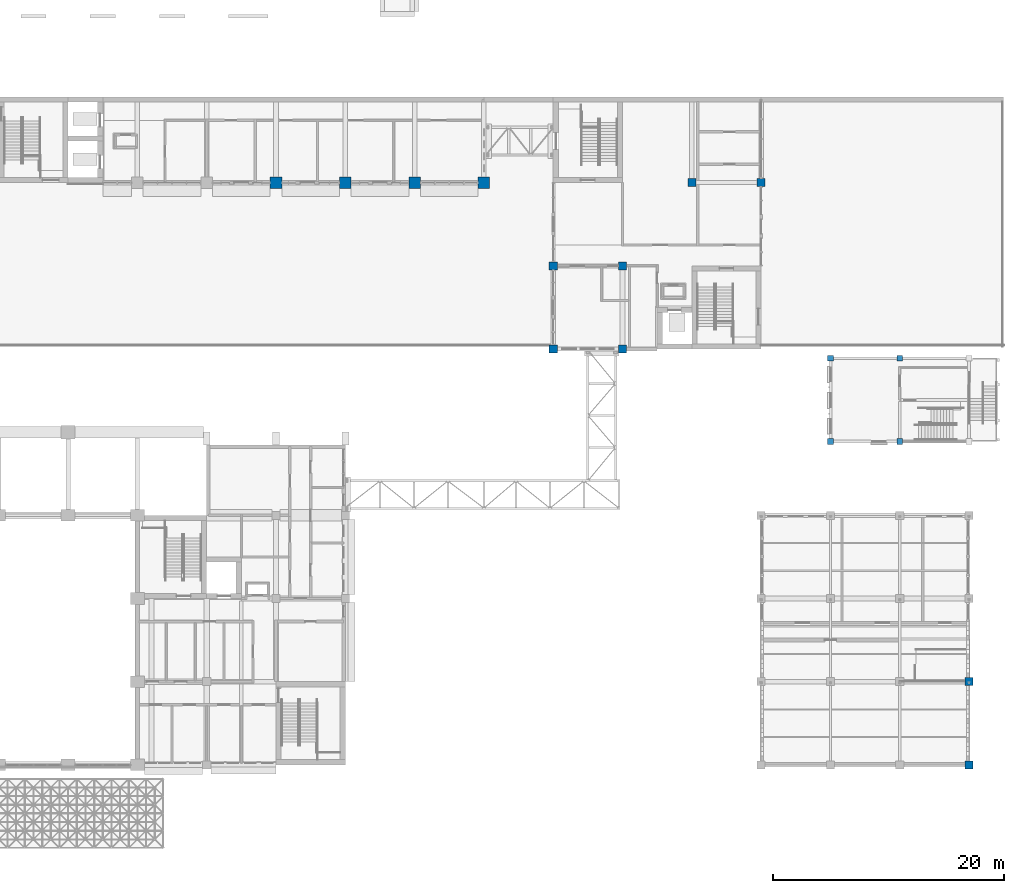
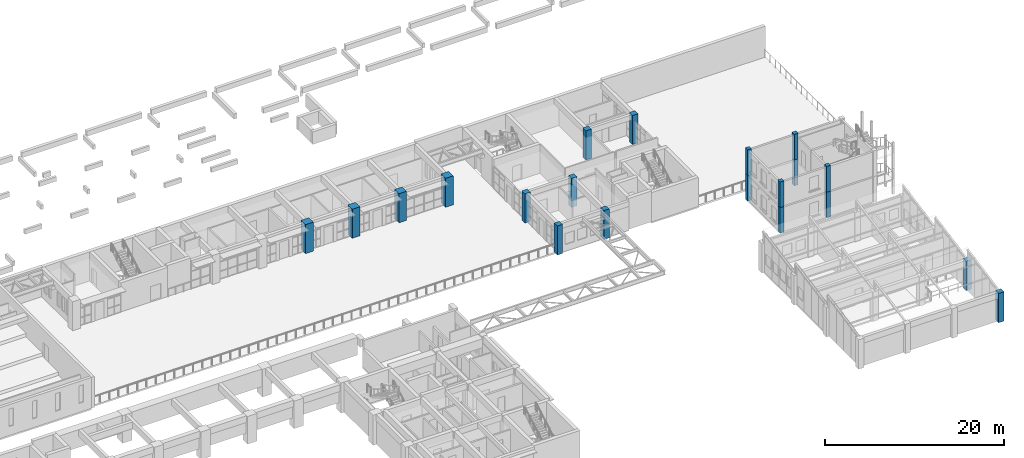
# One storey, part 3 of 103: 20 columns.
"""IFC4 building model written with IfcOpenShell, lengths in metres."""

from ifc_helpers import new_model, si_unit, direction, frame, origin, origin_2d, place, context, subcontext, project, spatial, rectangle, extrude, material, material_profile, profile_set, type_object, element, save


model = new_model("IFC4")

# Units and contexts
model_context = context("Model", 3, precision=1e-05, world=origin(), true_north=direction((0.0, 1.0)))
body_context = subcontext(model_context, "Body", "Model", "MODEL_VIEW")
ifc_project = project(units=[si_unit("LENGTHUNIT", "METRE"), si_unit("AREAUNIT", "SQUARE_METRE"), si_unit("VOLUMEUNIT", "CUBIC_METRE"), si_unit("PLANEANGLEUNIT", "RADIAN"), si_unit("MASSUNIT", "GRAM", prefix="KILO")], contexts=[model_context])

# Site, building, storey
site_placement = place(None, origin())
site = spatial("IfcSite", under=ifc_project, at=site_placement, CompositionType="ELEMENT")
building_placement = place(site_placement, origin())
building = spatial("IfcBuilding", under=site, at=building_placement, Name="Laocheng Heights Fire and Rescue Headquarters", CompositionType="ELEMENT")
storey_placement = place(building_placement, frame((0.0, 0.0, 4.199951171875)))
storey = spatial("IfcBuildingStorey", under=building, at=storey_placement, Name="L01", CompositionType="ELEMENT", Elevation=4.199951171875)

# Columns
ifc_material_1 = material(Name="Concrete C50", Category="concrete")
ifc_material_profile_1 = material_profile(ifc_material_1, rectangle(XDim=1.0, YDim=1.0, at=origin_2d()), Name="RC COLUMN 1000x1000 C50 HQ")
ifc_profile_set_1 = profile_set([ifc_material_profile_1], Name="Concrete C50")
column_type_1 = type_object("IfcColumnType", Name="RC COLUMN 1000x1000 C50 HQ", PredefinedType="COLUMN", material=ifc_profile_set_1)
for number, where, z_axis, x_axis, name in (
    (1, (66.0, 50.39990234375, 0.0), (0.0, 0.0, 1.0), (1.0, 0.0, 0.0), "HQ column L01 66/50.4"),
    (2, (72.0, 50.39990234375, 0.0), (0.0, 0.0, 1.0), (1.0, 0.0, 0.0), "HQ column L01 72/50.4"),
    (3, (78.0, 50.39990234375, 0.0), (0.0, 0.0, 1.0), (1.0, 0.0, 0.0), "HQ column L01 78/50.4"),
    (4, (84.0, 50.39990234375, 0.0), (0.0, 0.0, 1.0), (1.0, 0.0, 0.0), "HQ column L01 84/50.4"),
):
    element("IfcColumn", number, at=place(storey_placement, frame(where, z_axis=z_axis, x_axis=x_axis)), inside=storey, type_object=column_type_1, Name=name, PredefinedType="COLUMN", context=body_context, shape_type="SweptSolid", body=[
        extrude(rectangle(XDim=1.0, YDim=1.0, at=origin_2d()), origin(), (0.0, 0.0, 1.0), 3.949951171875),
    ])
ifc_material_2 = material(Name="Concrete C50", Category="concrete")
ifc_material_profile_2 = material_profile(ifc_material_2, rectangle(XDim=0.5, YDim=0.5, at=origin_2d()), Name="RC COLUMN 500x500 C50 DRILL TOWER")
ifc_profile_set_2 = profile_set([ifc_material_profile_2], Name="Concrete C50")
column_type_2 = type_object("IfcColumnType", Name="RC COLUMN 500x500 C50 DRILL TOWER", PredefinedType="COLUMN", material=ifc_profile_set_2)
for number, where, z_axis, x_axis, name in (
    (5, (114.0, 28.0, -0.699951171875), (0.0, 0.0, 1.0), (1.0, 0.0, 0.0), "Drill tower column F2 114/28"),
    (6, (120.0, 28.0, -0.699951171875), (0.0, 0.0, 1.0), (1.0, 0.0, 0.0), "Drill tower column F2 120/28"),
    (7, (114.0, 35.199951171875, -0.699951171875), (0.0, 0.0, 1.0), (1.0, 0.0, 0.0), "Drill tower column F2 114/35.2"),
    (8, (120.0, 35.199951171875, -0.699951171875), (0.0, 0.0, 1.0), (1.0, 0.0, 0.0), "Drill tower column F2 120/35.2"),
    (9, (114.0, 28.0, 2.800048828125), (0.0, 0.0, 1.0), (1.0, 0.0, 0.0), "Drill tower column F3 114/28"),
    (10, (120.0, 28.0, 2.800048828125), (0.0, 0.0, 1.0), (1.0, 0.0, 0.0), "Drill tower column F3 120/28"),
    (11, (114.0, 35.199951171875, 2.800048828125), (0.0, 0.0, 1.0), (1.0, 0.0, 0.0), "Drill tower column F3 114/35.2"),
    (12, (120.0, 35.199951171875, 2.800048828125), (0.0, 0.0, 1.0), (1.0, 0.0, 0.0), "Drill tower column F3 120/35.2"),
):
    element("IfcColumn", number, at=place(storey_placement, frame(where, z_axis=z_axis, x_axis=x_axis)), inside=storey, type_object=column_type_2, Name=name, PredefinedType="COLUMN", context=body_context, shape_type="SweptSolid", body=[
        extrude(rectangle(XDim=0.5, YDim=0.5, at=origin_2d()), origin(), (0.0, 0.0, 1.0), 3.5),
    ])
ifc_material_3 = material(Name="Concrete C50", Category="concrete")
ifc_material_profile_3 = material_profile(ifc_material_3, rectangle(XDim=0.699951171875, YDim=0.699951171875, at=origin_2d()), Name="RC COLUMN 700x700 C50 CREW")
ifc_profile_set_3 = profile_set([ifc_material_profile_3], Name="Concrete C50")
column_type_3 = type_object("IfcColumnType", Name="RC COLUMN 700x700 C50 CREW", PredefinedType="COLUMN", material=ifc_profile_set_3)
for number, where, z_axis, x_axis, name in (
    (13, (90.0, 36.0, 0.0), (0.0, 0.0, 1.0), (1.0, 0.0, 0.0), "Crew column L01 90/36"),
    (14, (96.0, 36.0, 0.0), (0.0, 0.0, 1.0), (1.0, 0.0, 0.0), "Crew column L01 96/36"),
    (15, (90.0, 43.199951171875, 0.0), (0.0, 0.0, 1.0), (1.0, 0.0, 0.0), "Crew column L01 90/43.2"),
    (16, (96.0, 43.199951171875, 0.0), (0.0, 0.0, 1.0), (1.0, 0.0, 0.0), "Crew column L01 96/43.2"),
    (17, (102.0, 50.39990234375, 0.0), (0.0, 0.0, 1.0), (1.0, 0.0, 0.0), "Crew column L01 102/50.4"),
    (18, (108.0, 50.39990234375, 0.0), (0.0, 0.0, 1.0), (1.0, 0.0, 0.0), "Crew column L01 108/50.4"),
):
    element("IfcColumn", number, at=place(storey_placement, frame(where, z_axis=z_axis, x_axis=x_axis)), inside=storey, type_object=column_type_3, Name=name, PredefinedType="COLUMN", context=body_context, shape_type="SweptSolid", body=[
        extrude(rectangle(XDim=0.699951171875, YDim=0.699951171875, at=origin_2d()), origin(), (0.0, 0.0, 1.0), 3.949951171875),
    ])
ifc_material_4 = material(Name="Concrete C45", Category="concrete")
ifc_material_profile_4 = material_profile(ifc_material_4, rectangle(XDim=0.699951171875, YDim=0.699951171875, at=origin_2d()), Name="RC COLUMN 700x700 WORKSHOP")
ifc_profile_set_4 = profile_set([ifc_material_profile_4], Name="Concrete C45")
column_type_4 = type_object("IfcColumnType", Name="RC COLUMN 700x700 WORKSHOP", PredefinedType="COLUMN", material=ifc_profile_set_4)
for number, where, z_axis, x_axis, name in (
    (19, (126.0, 0.0, 0.0), (0.0, 0.0, 1.0), (1.0, 0.0, 0.0), "Workshop column"),
    (20, (126.0, 7.199951171875, 0.0), (0.0, 0.0, 1.0), (1.0, 0.0, 0.0), "Workshop column"),
):
    element("IfcColumn", number, at=place(storey_placement, frame(where, z_axis=z_axis, x_axis=x_axis)), inside=storey, type_object=column_type_4, Name=name, PredefinedType="COLUMN", context=body_context, shape_type="SweptSolid", body=[
        extrude(rectangle(XDim=0.699951171875, YDim=0.699951171875, at=origin_2d()), origin(), (0.0, 0.0, 1.0), 4.003662109375),
    ])

save(model, "model.ifc")
